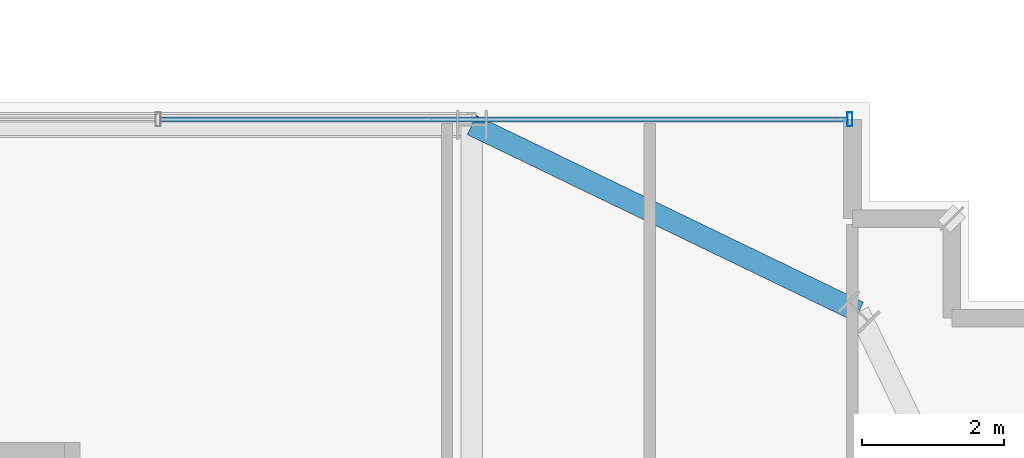
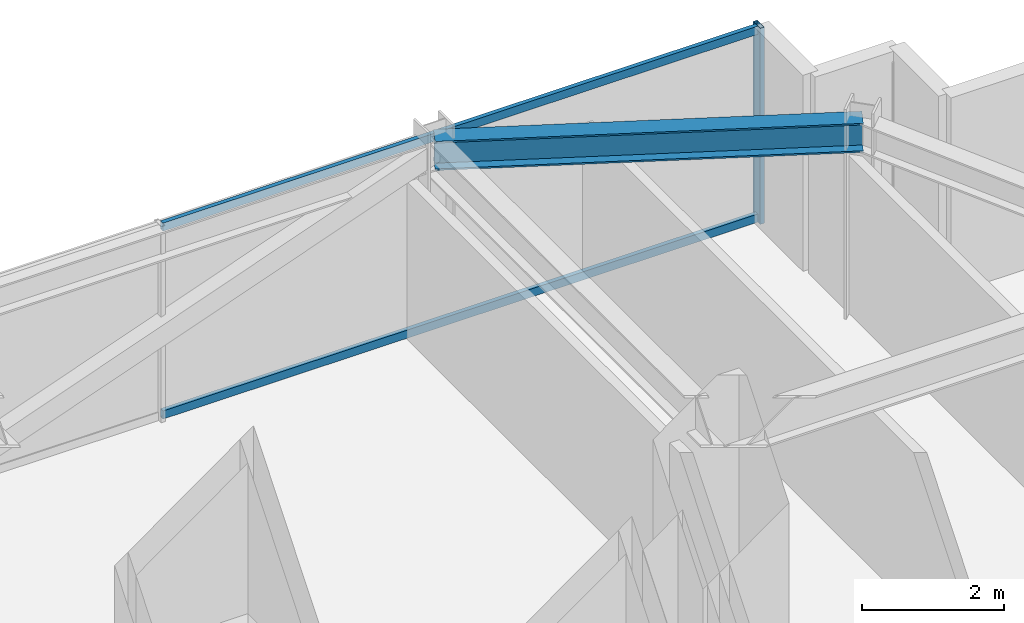
# One storey, part 29 of 43: 3 members, 1 beam, 1 element without a shape of its own.
"""IFC4 building model written with IfcOpenShell, lengths in metres."""

from ifc_helpers import new_model, si_unit, direction, frame, origin, origin_2d, place, context, subcontext, project, spatial, hollow_rectangle, i_section, extrude, source, transform, mapped, material, material_profile, profile_set, type_object, element, aggregate, save


model = new_model("IFC4")

# Units and contexts
model_context = context("Model", 3, precision=1e-05, world=origin(), true_north=direction((0.0, 1.0)))
body_context = subcontext(model_context, "Body", "Model", "MODEL_VIEW")
ifc_project = project(units=[si_unit("LENGTHUNIT", "METRE"), si_unit("AREAUNIT", "SQUARE_METRE"), si_unit("VOLUMEUNIT", "CUBIC_METRE"), si_unit("PLANEANGLEUNIT", "RADIAN"), si_unit("MASSUNIT", "GRAM", prefix="KILO")], contexts=[model_context])

# Site, building, storey
site_placement = place(None, origin())
site = spatial("IfcSite", under=ifc_project, at=site_placement, CompositionType="ELEMENT")
building_placement = place(site_placement, origin())
building = spatial("IfcBuilding", under=site, at=building_placement, Name="Nahalor Promenade Grand Hotel", CompositionType="ELEMENT")
storey_placement = place(building_placement, frame((0.0, 0.0, 47.0)))
storey = spatial("IfcBuildingStorey", under=building, at=storey_placement, Name="L10", CompositionType="ELEMENT", Elevation=47.0)

# Beam
ifc_material_1 = material(Name="Steel S355JR", Category="steel")
ifc_material_profile_1 = material_profile(ifc_material_1, i_section(OverallWidth=0.3, OverallDepth=0.5, WebThickness=0.0145, FlangeThickness=0.028, at=origin_2d()), Name="HEB 500")
ifc_profile_set_1 = profile_set([ifc_material_profile_1], Name="Steel S355JR")
beam_type = type_object("IfcBeamType", Name="Beam-Spandrel-HEB500", PredefinedType="SPANDREL", material=ifc_profile_set_1)
shared_shape_1 = source(origin(), body_context, "Body", "SweptSolid", [
    extrude(i_section(OverallWidth=0.3, OverallDepth=0.5, WebThickness=0.0145, FlangeThickness=0.028, at=origin_2d()), origin(), (0.0, 0.0, 1.0), 6.051513671875),
])
beam_placement = place(storey_placement, frame((17.0, 25.080078125, 3.1201171875), z_axis=(0.900608818852, -0.434630596492, 0.0), x_axis=(0.434630596492, 0.900608818852, 0.0)))
element("IfcBeam", 1, at=beam_placement, inside=storey, type_object=beam_type, Name="BM-L10-SPC-NE-1", PredefinedType="SPANDREL", context=body_context, shape_type="MappedRepresentation", body=[
    mapped(shared_shape_1, transform((0.0, 0.0, 0.0), scale=1.0)),
])

# Curtain wall, members
ifc_material_2 = material(Name="Anodised Bronze Aluminium EN AW-6063 T6", Category="aluminium")
curtain_wall_type = type_object("IfcCurtainWallType", Name="CW3 Elliptical-Void Collar Unitised Curtain Wall", PredefinedType="USERDEFINED", material=ifc_material_2)
curtain_wall_placement = place(storey_placement, origin())
curtain_wall = element("IfcCurtainWall", 2, at=curtain_wall_placement, inside=storey, type_object=curtain_wall_type, Name="L10 Curtain Wall CW-L10-N-3", ObjectType="UNITISED_CURTAIN_WALL", PredefinedType="USERDEFINED")
ifc_material_profile_2 = material_profile(ifc_material_2, hollow_rectangle(XDim=0.07, YDim=0.2, WallThickness=0.005, at=origin_2d()), Name="CWM 70x200x5")
ifc_profile_set_2 = profile_set([ifc_material_profile_2], Name="Anodised Bronze Aluminium EN AW-6063 T6")
member_type_1 = type_object("IfcMemberType", Name="CWM3 Void Collar Mullion 70x200", PredefinedType="MULLION", material=ifc_profile_set_2)
shared_shape_2 = source(origin(), body_context, "Body", "SweptSolid", [
    extrude(hollow_rectangle(XDim=0.07, YDim=0.2, WallThickness=0.005, at=origin_2d()), origin(), (0.0, 0.0, 1.0), 3.3701171875),
])
member_1_placement = place(storey_placement, frame((22.324951171875, 25.159912109375, 0.0), z_axis=(0.0, 0.0, 1.0), x_axis=(1.0, 0.0, 0.0)))
member_1 = element("IfcMember", 3, at=member_1_placement, type_object=member_type_1, Name="CW-L10-N-3 Mullion 2", PredefinedType="MULLION", context=body_context, shape_type="MappedRepresentation", body=[
    mapped(shared_shape_2, transform((0.0, 0.0, 0.0), scale=1.0)),
])
ifc_material_profile_3 = material_profile(ifc_material_2, hollow_rectangle(XDim=0.07, YDim=0.14, WallThickness=0.004, at=origin_2d()), Name="CWT 70x140x4")
ifc_profile_set_3 = profile_set([ifc_material_profile_3], Name="Anodised Bronze Aluminium EN AW-6063 T6")
member_type_2 = type_object("IfcMemberType", Name="CWT3 Void Collar Transom 70x140", PredefinedType="USERDEFINED", material=ifc_profile_set_3)
shared_shape_3 = source(origin(), body_context, "Body", "SweptSolid", [
    extrude(hollow_rectangle(XDim=0.07, YDim=0.14, WallThickness=0.004, at=origin_2d()), origin(), (0.0, 0.0, 1.0), 9.675048828125),
])
member_2_placement = place(storey_placement, frame((12.614990234375, 25.159912109375, 0.070068359375), z_axis=(1.0, 0.0, 0.0), x_axis=(0.0, 1.0, 0.0)))
member_2 = element("IfcMember", 4, at=member_2_placement, type_object=member_type_2, Name="CW-L10-N-3 Transom 1-0", ObjectType="TRANSOM", PredefinedType="USERDEFINED", context=body_context, shape_type="MappedRepresentation", body=[
    mapped(shared_shape_3, transform((0.0, 0.0, 0.0), scale=1.0)),
])
member_3_placement = place(storey_placement, frame((12.614990234375, 25.159912109375, 3.300048828125), z_axis=(1.0, 0.0, 0.0), x_axis=(0.0, 1.0, 0.0)))
member_3 = element("IfcMember", 5, at=member_3_placement, type_object=member_type_2, Name="CW-L10-N-3 Transom 1-1", ObjectType="TRANSOM", PredefinedType="USERDEFINED", context=body_context, shape_type="MappedRepresentation", body=[
    mapped(shared_shape_3, transform((0.0, 0.0, 0.0), scale=1.0)),
])
aggregate(curtain_wall, [member_1, member_2, member_3])

save(model, "model.ifc")
